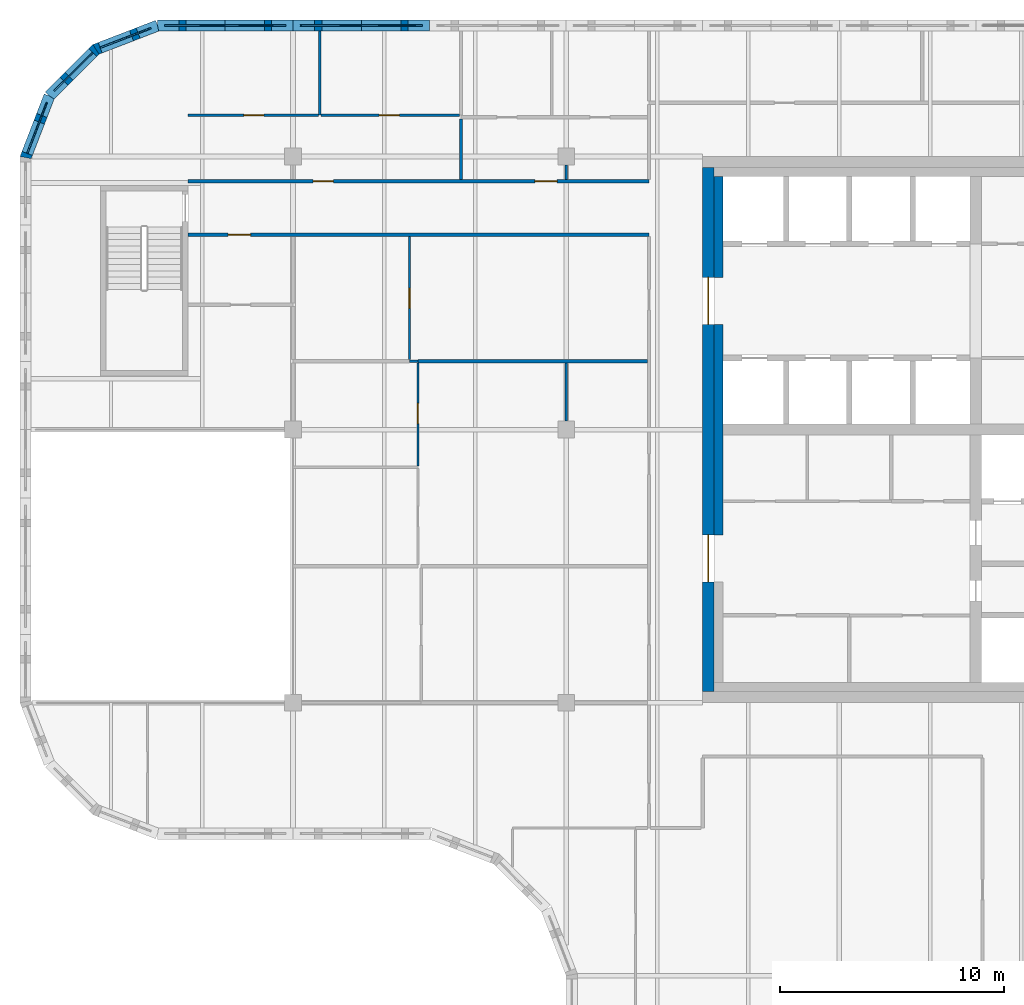
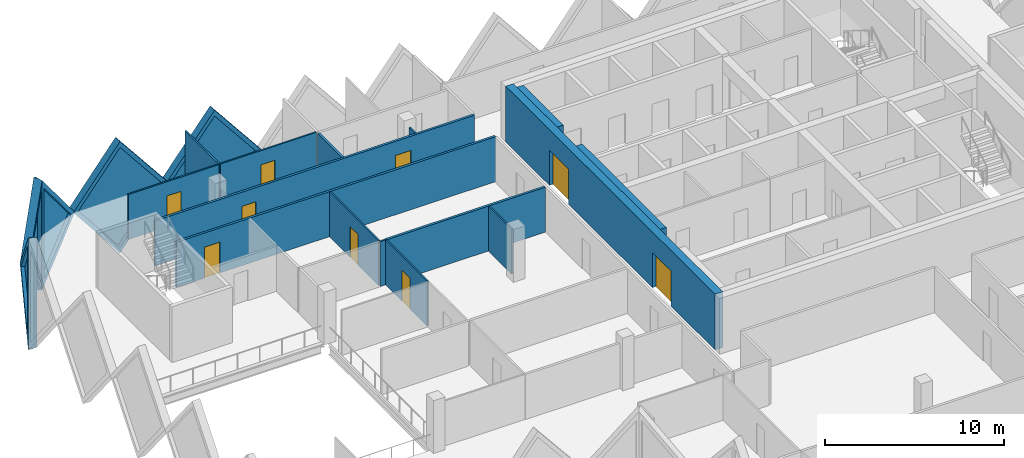
# One storey, part 7 of 11: 20 walls, 9 doors, 5 plates, 14 openings.
"""IFC4 building model written with IfcOpenShell, lengths in metres."""

from ifc_helpers import new_model, si_unit, direction, frame, frame_2d, origin, place, context, subcontext, project, spatial, polyline, rectangle, outline, extrude, faceted_brep, source, transform, mapped, material, layer, layer_set, type_object, element, fill, save


model = new_model("IFC4")

# Units and contexts
model_context = context("Model", 3, precision=1e-05, world=origin(), true_north=direction((0.0, 1.0)))
body_context = subcontext(model_context, "Body", "Model", "MODEL_VIEW")
ifc_project = project(units=[si_unit("LENGTHUNIT", "METRE"), si_unit("AREAUNIT", "SQUARE_METRE"), si_unit("VOLUMEUNIT", "CUBIC_METRE"), si_unit("PLANEANGLEUNIT", "RADIAN"), si_unit("MASSUNIT", "GRAM", prefix="KILO")], contexts=[model_context])

# Site, building, storey
site_placement = place(None, origin())
site = spatial("IfcSite", under=ifc_project, at=site_placement, CompositionType="ELEMENT")
building_placement = place(site_placement, origin())
building = spatial("IfcBuilding", under=site, at=building_placement, Name="Tessera Gate Towers", CompositionType="ELEMENT")
storey_placement = place(building_placement, frame((0.0, 0.0, 224.5)))
storey = spatial("IfcBuildingStorey", under=building, at=storey_placement, Name="L56", CompositionType="ELEMENT", Elevation=224.5)

# Wall, openings, doors
ifc_material_1 = material(Name="Concrete C50/60", Category="concrete")
ifc_layer_1 = layer(ifc_material_1, 0.5)
ifc_layer_set_1 = layer_set([ifc_layer_1], Name="CORE SHEAR WALL 500 C50/60")
wall_type_1 = type_object("IfcWallType", Name="CORE SHEAR WALL 500 C50/60", PredefinedType="SHEAR", material=ifc_layer_set_1)
wall_1_placement = place(storey_placement, frame((30.75, 24.89990234375, 0.0), z_axis=(0.0, 0.0, 1.0), x_axis=(0.0, 1.0, 0.0)))
wall_1 = element("IfcWall", 1, at=wall_1_placement, inside=storey, type_object=wall_type_1, Name="Core wall W L56", PredefinedType="SHEAR", context=body_context, shape_type="SweptSolid", body=[
    extrude(rectangle(XDim=23.400146484375, YDim=0.5, at=frame_2d((11.7001953125, 0.0))), origin(), (0.0, 0.0, 1.0), 3.800048828125),
])
shared_shape_1 = source(origin(), body_context, "Body", "SweptSolid", [
    extrude(rectangle(XDim=2.10009765625, YDim=2.39990234375, at=frame_2d((1.050048828125, 1.199951171875))), frame((0.0, 0.260009765625, 0.0), z_axis=(0.0, -1.0, 0.0), x_axis=(1.0, 0.0, 0.0)), (0.0, 0.0, 1.0), 0.52001953125),
])
opening_1_placement = place(wall_1_placement, frame((4.89990234375, 0.0, 0.0)))
opening_1 = element("IfcOpeningElement", 2, at=opening_1_placement, cuts=wall_1, Name="Opening DD-T1-33-02", PredefinedType="OPENING", context=body_context, shape_type="MappedRepresentation", body=[
    mapped(shared_shape_1, transform((0.0, 0.0, 0.0), scale=1.0)),
])
opening_2_placement = place(wall_1_placement, frame((16.39990234375, 0.0, 0.0)))
opening_2 = element("IfcOpeningElement", 3, at=opening_2_placement, cuts=wall_1, Name="Opening DD-T1-33-03", PredefinedType="OPENING", context=body_context, shape_type="MappedRepresentation", body=[
    mapped(shared_shape_1, transform((0.0, 0.0, 0.0), scale=1.0)),
])
ifc_material_2 = material(Name="Hollow steel fire door", Category="steel")
door_type_1 = type_object("IfcDoorType", Name="CORE DOOR DD 2100x2400", OperationType="NOTDEFINED", PredefinedType="DOOR", material=ifc_material_2)
shared_shape_2 = source(origin(), body_context, "Body", "SweptSolid", [
    extrude(rectangle(XDim=2.10009765625, YDim=2.39990234375, at=frame_2d((1.050048828125, 1.199951171875))), frame((0.0, 0.02490234375, 0.0), z_axis=(0.0, -1.0, 0.0), x_axis=(1.0, 0.0, 0.0)), (0.0, 0.0, 1.0), 0.050048828125),
])
door_1_placement = place(opening_1_placement, origin())
door_1 = element("IfcDoor", 4, at=door_1_placement, inside=storey, type_object=door_type_1, Name="Core entrance door", OperationType="DOUBLE_DOOR_SINGLE_SWING", OverallHeight=2.39990234375, OverallWidth=2.10009765625, PredefinedType="DOOR", context=body_context, shape_type="MappedRepresentation", body=[
    mapped(shared_shape_2, transform((0.0, 0.0, 0.0), scale=1.0)),
])
fill(opening_1, door_1)
door_2_placement = place(opening_2_placement, origin())
door_2 = element("IfcDoor", 5, at=door_2_placement, inside=storey, type_object=door_type_1, Name="Core entrance door", OperationType="DOUBLE_DOOR_SINGLE_SWING", OverallHeight=2.39990234375, OverallWidth=2.10009765625, PredefinedType="DOOR", context=body_context, shape_type="MappedRepresentation", body=[
    mapped(shared_shape_2, transform((0.0, 0.0, 0.0), scale=1.0)),
])
fill(opening_2, door_2)

# Walls
ifc_material_3 = material(Name="Concrete C50/60", Category="concrete")
ifc_layer_2 = layer(ifc_material_3, 0.39990234375)
ifc_layer_set_2 = layer_set([ifc_layer_2], Name="CORE WALL THICKENING 400")
wall_type_2 = type_object("IfcWallType", Name="CORE WALL THICKENING 400", PredefinedType="SOLIDWALL", material=ifc_layer_set_2)
wall_2_placement = place(storey_placement, frame((31.199951171875, 31.89990234375, 0.0), z_axis=(0.0, 0.0, 1.0), x_axis=(0.0, 1.0, 0.0)))
element("IfcWall", 6, at=wall_2_placement, inside=storey, type_object=wall_type_2, Name="Core wall thickening W L56", PredefinedType="SOLIDWALL", context=body_context, shape_type="SweptSolid", body=[
    extrude(rectangle(XDim=9.400146484375, YDim=0.39990234375, at=frame_2d((4.7001953125, 0.0))), origin(), (0.0, 0.0, 1.0), 3.800048828125),
])
wall_3_placement = place(storey_placement, frame((31.199951171875, 43.39990234375, 0.0), z_axis=(0.0, 0.0, 1.0), x_axis=(0.0, 1.0, 0.0)))
element("IfcWall", 7, at=wall_3_placement, inside=storey, type_object=wall_type_2, Name="Core wall thickening W L56", PredefinedType="SOLIDWALL", context=body_context, shape_type="SweptSolid", body=[
    extrude(rectangle(XDim=4.5, YDim=0.39990234375, at=frame_2d((2.25, 0.0))), origin(), (0.0, 0.0, 1.0), 3.800048828125),
])

# Wall, opening, door
ifc_material_4 = material(Name="Gypsum board on steel studs, mineral wool", Category="steel")
ifc_layer_3 = layer(ifc_material_4, 0.14990234375)
ifc_layer_set_3 = layer_set([ifc_layer_3], Name="CORRIDOR WALL 150")
wall_type_3 = type_object("IfcWallType", Name="CORRIDOR WALL 150", PredefinedType="PARTITIONING", material=ifc_layer_set_3)
wall_4_placement = place(storey_placement, frame((28.10009765625, 45.300048828125, 0.0), z_axis=(0.0, 0.0, 1.0), x_axis=(-1.0, 0.0, 0.0)))
wall_4 = element("IfcWall", 8, at=wall_4_placement, inside=storey, type_object=wall_type_3, Name="T1-L56-PW-040", PredefinedType="PARTITIONING", context=body_context, shape_type="SweptSolid", body=[
    extrude(rectangle(XDim=20.60009765625, YDim=0.14990234375, at=frame_2d((10.300048828125, 0.0))), origin(), (0.0, 0.0, 1.0), 3.06689453125),
])
shared_shape_3 = source(origin(), body_context, "Body", "SweptSolid", [
    extrude(rectangle(XDim=1.0, YDim=2.10009765625, at=frame_2d((0.5, 1.050048828125))), frame((0.0, 0.0849609375, 0.0), z_axis=(0.0, -1.0, 0.0), x_axis=(1.0, 0.0, 0.0)), (0.0, 0.0, 1.0), 0.169921875),
])
opening_3_placement = place(wall_4_placement, frame((17.800048828125, 0.0, 0.0)))
opening_3 = element("IfcOpeningElement", 9, at=opening_3_placement, cuts=wall_4, Name="Opening D2100FD60-A20-01", PredefinedType="OPENING", context=body_context, shape_type="MappedRepresentation", body=[
    mapped(shared_shape_3, transform((0.0, 0.0, 0.0), scale=1.0)),
])
ifc_material_5 = material(Name="Timber door leaf in steel frame", Category="steel")
door_type_2 = type_object("IfcDoorType", Name="TENANCY ENTRANCE DOOR 1000 FD60", OperationType="NOTDEFINED", PredefinedType="DOOR", material=ifc_material_5)
shared_shape_4 = source(origin(), body_context, "Body", "SweptSolid", [
    extrude(rectangle(XDim=1.0, YDim=2.10009765625, at=frame_2d((0.5, 1.050048828125))), frame((0.0, 0.02490234375, 0.0), z_axis=(0.0, -1.0, 0.0), x_axis=(1.0, 0.0, 0.0)), (0.0, 0.0, 1.0), 0.050048828125),
])
door_3_placement = place(opening_3_placement, origin())
door_3 = element("IfcDoor", 10, at=door_3_placement, inside=storey, type_object=door_type_2, Name="T1-L56-PD-006", OperationType="SINGLE_SWING_RIGHT", OverallHeight=2.10009765625, OverallWidth=1.0, PredefinedType="DOOR", context=body_context, shape_type="MappedRepresentation", body=[
    mapped(shared_shape_4, transform((0.0, 0.0, 0.0), scale=1.0)),
])
fill(opening_3, door_3)

# Wall, openings, doors
wall_5_placement = place(storey_placement, frame((7.5, 47.699951171875, 0.0), z_axis=(0.0, 0.0, 1.0), x_axis=(1.0, 0.0, 0.0)))
wall_5 = element("IfcWall", 11, at=wall_5_placement, inside=storey, type_object=wall_type_3, Name="T1-L56-PW-041", PredefinedType="PARTITIONING", context=body_context, shape_type="SweptSolid", body=[
    extrude(rectangle(XDim=20.60009765625, YDim=0.14990234375, at=frame_2d((10.300048828125, 0.0))), origin(), (0.0, 0.0, 1.0), 3.06689453125),
])
opening_4_placement = place(wall_5_placement, frame((15.5009765625, 0.0, 0.0)))
opening_4 = element("IfcOpeningElement", 12, at=opening_4_placement, cuts=wall_5, Name="Opening D2100FD60-A20-03", PredefinedType="OPENING", context=body_context, shape_type="MappedRepresentation", body=[
    mapped(shared_shape_3, transform((0.0, 0.0, 0.0), scale=1.0)),
])
shared_shape_5 = source(origin(), body_context, "Body", "SweptSolid", [
    extrude(rectangle(XDim=0.89990234375, YDim=2.10009765625, at=frame_2d((0.449951171875, 1.050048828125))), frame((0.0, 0.0849609375, 0.0), z_axis=(0.0, -1.0, 0.0), x_axis=(1.0, 0.0, 0.0)), (0.0, 0.0, 1.0), 0.169921875),
])
opening_5_placement = place(wall_5_placement, frame((5.60009765625, 0.0, 0.0)))
opening_5 = element("IfcOpeningElement", 13, at=opening_5_placement, cuts=wall_5, Name="Opening D890FD60-A20-10", PredefinedType="OPENING", context=body_context, shape_type="MappedRepresentation", body=[
    mapped(shared_shape_5, transform((0.0, 0.0, 0.0), scale=1.0)),
])
ifc_material_6 = material(Name="Timber door leaf in steel frame", Category="steel")
door_type_3 = type_object("IfcDoorType", Name="CORRIDOR DOOR 900 FD60", OperationType="NOTDEFINED", PredefinedType="DOOR", material=ifc_material_6)
shared_shape_6 = source(origin(), body_context, "Body", "SweptSolid", [
    extrude(rectangle(XDim=0.89990234375, YDim=2.10009765625, at=frame_2d((0.449951171875, 1.050048828125))), frame((0.0, 0.02490234375, 0.0), z_axis=(0.0, -1.0, 0.0), x_axis=(1.0, 0.0, 0.0)), (0.0, 0.0, 1.0), 0.050048828125),
])
door_4_placement = place(opening_5_placement, origin())
door_4 = element("IfcDoor", 14, at=door_4_placement, inside=storey, type_object=door_type_3, Name="T1-L56-PD-025", OperationType="SINGLE_SWING_LEFT", OverallHeight=2.10009765625, OverallWidth=0.89990234375, PredefinedType="DOOR", context=body_context, shape_type="MappedRepresentation", body=[
    mapped(shared_shape_6, transform((0.0, 0.0, 0.0), scale=1.0)),
])
fill(opening_5, door_4)
door_5_placement = place(opening_4_placement, origin())
door_5 = element("IfcDoor", 15, at=door_5_placement, inside=storey, type_object=door_type_2, Name="T1-L56-PD-019", OperationType="SINGLE_SWING_LEFT", OverallHeight=2.10009765625, OverallWidth=1.0, PredefinedType="DOOR", context=body_context, shape_type="MappedRepresentation", body=[
    mapped(shared_shape_4, transform((0.0, 0.0, 0.0), scale=1.0)),
])
fill(opening_4, door_5)

# Wall, opening, door
ifc_material_7 = material(Name="Glass", Category="glass")
ifc_layer_4 = layer(ifc_material_7, 0.10009765625)
ifc_layer_set_4 = layer_set([ifc_layer_4], Name="GLAZED PARTITION 100")
wall_type_4 = type_object("IfcWallType", Name="GLAZED PARTITION 100", PredefinedType="PARTITIONING", material=ifc_layer_set_4)
wall_6_placement = place(storey_placement, frame((17.77490234375, 34.97119140625, 0.0), z_axis=(0.0, 0.0, 1.0), x_axis=(0.0, 1.0, 0.0)))
wall_6 = element("IfcWall", 16, at=wall_6_placement, inside=storey, type_object=wall_type_4, Name="T1-L56-PW-030", PredefinedType="PARTITIONING", context=body_context, shape_type="SweptSolid", body=[
    extrude(rectangle(XDim=4.602783203125, YDim=0.10009765625, at=frame_2d((2.30126953125, 0.0))), origin(), (0.0, 0.0, 1.0), 3.06689453125),
])
shared_shape_7 = source(origin(), body_context, "Body", "SweptSolid", [
    extrude(rectangle(XDim=0.89990234375, YDim=2.10009765625, at=frame_2d((0.449951171875, 1.050048828125))), frame((0.0, 0.06005859375, 0.0), z_axis=(0.0, -1.0, 0.0), x_axis=(1.0, 0.0, 0.0)), (0.0, 0.0, 1.0), 0.1201171875),
])
opening_6_placement = place(wall_6_placement, frame((1.89990234375, 0.0, 0.0)))
opening_6 = element("IfcOpeningElement", 17, at=opening_6_placement, cuts=wall_6, Name="Opening D690-A20-02", PredefinedType="OPENING", context=body_context, shape_type="MappedRepresentation", body=[
    mapped(shared_shape_7, transform((0.0, 0.0, 0.0), scale=1.0)),
])
ifc_material_8 = material(Name="Glass in aluminium frame", Category="aluminium")
door_type_4 = type_object("IfcDoorType", Name="GLAZED DOOR 900 NOT RATED", OperationType="NOTDEFINED", PredefinedType="DOOR", material=ifc_material_8)
door_6_placement = place(opening_6_placement, origin())
door_6 = element("IfcDoor", 18, at=door_6_placement, inside=storey, type_object=door_type_4, Name="T1-L56-PD-005", OperationType="SINGLE_SWING_LEFT", OverallHeight=2.10009765625, OverallWidth=0.89990234375, PredefinedType="DOOR", context=body_context, shape_type="MappedRepresentation", body=[
    mapped(shared_shape_6, transform((0.0, 0.0, 0.0), scale=1.0)),
])
fill(opening_6, door_6)

# Wall
wall_7_placement = place(storey_placement, frame((17.40087890625, 39.64990234375, 0.0), z_axis=(0.0, 0.0, 1.0), x_axis=(1.0, 0.0, 0.0)))
element("IfcWall", 19, at=wall_7_placement, inside=storey, type_object=wall_type_4, Name="T1-L56-PW-034", PredefinedType="PARTITIONING", context=body_context, shape_type="SweptSolid", body=[
    extrude(rectangle(XDim=0.373046875, YDim=0.10009765625, at=frame_2d((0.1865234375, 0.0))), origin(), (0.0, 0.0, 1.0), 3.06689453125),
])

# Wall, opening, door
wall_8_placement = place(storey_placement, frame((17.39990234375, 39.72607421875, 0.0), z_axis=(0.0, 0.0, 1.0), x_axis=(0.0, 1.0, 0.0)))
wall_8 = element("IfcWall", 20, at=wall_8_placement, inside=storey, type_object=wall_type_4, Name="T1-L56-PW-037", PredefinedType="PARTITIONING", context=body_context, shape_type="SweptSolid", body=[
    extrude(rectangle(XDim=5.498046875, YDim=0.10009765625, at=frame_2d((2.7490234375, 0.0))), origin(), (0.0, 0.0, 1.0), 3.06689453125),
])
opening_7_placement = place(wall_8_placement, frame((2.300048828125, 0.0, 0.0)))
opening_7 = element("IfcOpeningElement", 21, at=opening_7_placement, cuts=wall_8, Name="Opening D690-A20-04", PredefinedType="OPENING", context=body_context, shape_type="MappedRepresentation", body=[
    mapped(shared_shape_7, transform((0.0, 0.0, 0.0), scale=1.0)),
])
door_7_placement = place(opening_7_placement, origin())
door_7 = element("IfcDoor", 22, at=door_7_placement, inside=storey, type_object=door_type_4, Name="T1-L56-PD-010", OperationType="SINGLE_SWING_LEFT", OverallHeight=2.10009765625, OverallWidth=0.89990234375, PredefinedType="DOOR", context=body_context, shape_type="MappedRepresentation", body=[
    mapped(shared_shape_6, transform((0.0, 0.0, 0.0), scale=1.0)),
])
fill(opening_7, door_7)

wall_9_placement = place(storey_placement, frame((7.5, 50.64990234375, 0.0), z_axis=(0.0, 0.0, 1.0), x_axis=(1.0, 0.0, 0.0)))
wall_9 = element("IfcWall", 23, at=wall_9_placement, inside=storey, type_object=wall_type_4, Name="T1-L56-PW-048", PredefinedType="PARTITIONING", context=body_context, shape_type="SweptSolid", body=[
    extrude(rectangle(XDim=5.8427734375, YDim=0.10009765625, at=frame_2d((2.92138671875, 0.0))), origin(), (0.0, 0.0, 1.0), 3.06689453125),
])
opening_8_placement = place(wall_9_placement, frame((2.5, 0.0, 0.0)))
opening_8 = element("IfcOpeningElement", 24, at=opening_8_placement, cuts=wall_9, Name="Opening D690-A20-05", PredefinedType="OPENING", context=body_context, shape_type="MappedRepresentation", body=[
    mapped(shared_shape_7, transform((0.0, 0.0, 0.0), scale=1.0)),
])
door_8_placement = place(opening_8_placement, origin())
door_8 = element("IfcDoor", 25, at=door_8_placement, inside=storey, type_object=door_type_4, Name="T1-L56-PD-012", OperationType="SINGLE_SWING_LEFT", OverallHeight=2.10009765625, OverallWidth=0.89990234375, PredefinedType="DOOR", context=body_context, shape_type="MappedRepresentation", body=[
    mapped(shared_shape_6, transform((0.0, 0.0, 0.0), scale=1.0)),
])
fill(opening_8, door_8)

wall_10_placement = place(storey_placement, frame((13.444580078125, 50.64990234375, 0.0), z_axis=(0.0, 0.0, 1.0), x_axis=(1.0, 0.0, 0.0)))
wall_10 = element("IfcWall", 26, at=wall_10_placement, inside=storey, type_object=wall_type_4, Name="T1-L56-PW-050", PredefinedType="PARTITIONING", context=body_context, shape_type="SweptSolid", body=[
    extrude(rectangle(XDim=6.179443359375, YDim=0.10009765625, at=frame_2d((3.08984375, 0.0))), origin(), (0.0, 0.0, 1.0), 3.06689453125),
])
opening_9_placement = place(wall_10_placement, frame((2.60009765625, 0.0, 0.0)))
opening_9 = element("IfcOpeningElement", 27, at=opening_9_placement, cuts=wall_10, Name="Opening D690-A20-07", PredefinedType="OPENING", context=body_context, shape_type="MappedRepresentation", body=[
    mapped(shared_shape_7, transform((0.0, 0.0, 0.0), scale=1.0)),
])
door_9_placement = place(opening_9_placement, origin())
door_9 = element("IfcDoor", 28, at=door_9_placement, inside=storey, type_object=door_type_4, Name="T1-L56-PD-016", OperationType="SINGLE_SWING_LEFT", OverallHeight=2.10009765625, OverallWidth=0.89990234375, PredefinedType="DOOR", context=body_context, shape_type="MappedRepresentation", body=[
    mapped(shared_shape_6, transform((0.0, 0.0, 0.0), scale=1.0)),
])
fill(opening_9, door_9)

# Walls
ifc_material_9 = material(Name="Gypsum board on steel studs", Category="steel")
ifc_layer_5 = layer(ifc_material_9, 0.10009765625)
ifc_layer_set_5 = layer_set([ifc_layer_5], Name="PARTITION 100")
wall_type_5 = type_object("IfcWallType", Name="PARTITION 100", PredefinedType="PARTITIONING", material=ifc_layer_set_5)
wall_11_placement = place(storey_placement, frame((24.39990234375, 36.97509765625, 0.0), z_axis=(0.0, 0.0, 1.0), x_axis=(0.0, 1.0, 0.0)))
element("IfcWall", 29, at=wall_11_placement, inside=storey, type_object=wall_type_5, Name="T1-L56-PW-032", PredefinedType="PARTITIONING", context=body_context, shape_type="SweptSolid", body=[
    extrude(rectangle(XDim=2.599853515625, YDim=0.10009765625, at=frame_2d((1.2998046875, 0.0))), origin(), (0.0, 0.0, 1.0), 3.06689453125),
])
wall_12_placement = place(storey_placement, frame((24.39990234375, 48.425048828125, 0.0), z_axis=(0.0, 0.0, 1.0), x_axis=(0.0, -1.0, 0.0)))
element("IfcWall", 30, at=wall_12_placement, inside=storey, type_object=wall_type_5, Name="T1-L56-PW-045", PredefinedType="PARTITIONING", context=body_context, shape_type="SweptSolid", body=[
    extrude(rectangle(XDim=0.650146484375, YDim=0.10009765625, at=frame_2d((0.3251953125, 0.0))), origin(), (0.0, 0.0, 1.0), 3.06689453125),
])
wall_13_placement = place(storey_placement, frame((13.39404296875, 50.64990234375, 0.0), z_axis=(0.0, 0.0, 1.0), x_axis=(0.0, 1.0, 0.0)))
element("IfcWall", 31, at=wall_13_placement, inside=storey, type_object=wall_type_5, Name="T1-L56-PW-049", PredefinedType="PARTITIONING", context=body_context, shape_type="SweptSolid", body=[
    extrude(rectangle(XDim=3.75, YDim=0.10009765625, at=frame_2d((1.875, 0.0))), origin(), (0.0, 0.0, 1.0), 3.06689453125),
])
ifc_material_10 = material(Name="Gypsum board on steel studs, mineral wool", Category="steel")
ifc_layer_6 = layer(ifc_material_10, 0.14990234375)
ifc_layer_set_6 = layer_set([ifc_layer_6], Name="TENANCY WALL 150")
wall_type_6 = type_object("IfcWallType", Name="TENANCY WALL 150", PredefinedType="PARTITIONING", material=ifc_layer_set_6)
wall_14_placement = place(storey_placement, frame((17.77490234375, 39.64990234375, 0.0), z_axis=(0.0, 0.0, 1.0), x_axis=(1.0, 0.0, 0.0)))
element("IfcWall", 32, at=wall_14_placement, inside=storey, type_object=wall_type_6, Name="T1-L56-PW-035", PredefinedType="PARTITIONING", context=body_context, shape_type="SweptSolid", body=[
    extrude(rectangle(XDim=10.2490234375, YDim=0.14990234375, at=frame_2d((5.12451171875, 0.0))), origin(), (0.0, 0.0, 1.0), 3.06689453125),
])
wall_15_placement = place(storey_placement, frame((19.699951171875, 47.77587890625, 0.0), z_axis=(0.0, 0.0, 1.0), x_axis=(0.0, 1.0, 0.0)))
element("IfcWall", 33, at=wall_15_placement, inside=storey, type_object=wall_type_6, Name="T1-L56-PW-042", PredefinedType="PARTITIONING", context=body_context, shape_type="SweptSolid", body=[
    extrude(rectangle(XDim=2.6982421875, YDim=0.14990234375, at=frame_2d((1.34912109375, 0.0))), origin(), (0.0, 0.0, 1.0), 3.06689453125),
])

# Wall, opening, plate
ifc_material_11 = material(Name="Precast concrete C60/75 white", Category="concrete")
ifc_layer_7 = layer(ifc_material_11, 0.5)
ifc_layer_set_7 = layer_set([ifc_layer_7], Name="TS1 tessera")
wall_type_7 = type_object("IfcWallType", Name="TS1 tessera", PredefinedType="SOLIDWALL", material=ifc_layer_set_7)
shared_shape_8 = source(origin(), body_context, "Body", "SweptSolid", [
    extrude(outline(polyline([(3.050048828125, 0.0), (6.10009765625, 3.800048828125), (3.050048828125, 7.60009765625), (0.0, 3.800048828125), (3.050048828125, 0.0)])), frame((0.0, 0.25, 0.0), z_axis=(0.0, -1.0, 0.0), x_axis=(1.0, 0.0, 0.0)), (0.0, 0.0, 1.0), 0.5),
])
wall_16_placement = place(storey_placement, frame((18.300048828125, 54.64990234375, -3.800048828125), z_axis=(0.0, 0.0, 1.0), x_axis=(-1.0, 0.0, 0.0)))
wall_16 = element("IfcWall", 34, at=wall_16_placement, inside=storey, type_object=wall_type_7, Name="Precast tessera T1 TS1-1005", PredefinedType="SOLIDWALL", context=body_context, shape_type="MappedRepresentation", body=[
    mapped(shared_shape_8, transform((0.0, 0.0, 0.0), scale=1.0)),
])
shared_shape_9 = source(origin(), body_context, "Body", "SweptSolid", [
    extrude(outline(polyline([(3.050048828125, 0.3994140625), (5.779541015625, 3.800048828125), (3.050048828125, 7.20068359375), (0.320556640625, 3.800048828125), (3.050048828125, 0.3994140625)])), frame((0.0, 0.260009765625, 0.0), z_axis=(0.0, -1.0, 0.0), x_axis=(1.0, 0.0, 0.0)), (0.0, 0.0, 1.0), 0.52001953125),
])
opening_10_placement = place(wall_16_placement, origin())
opening_10 = element("IfcOpeningElement", 35, at=opening_10_placement, cuts=wall_16, Name="Opening T1-PL2-2045", PredefinedType="OPENING", context=body_context, shape_type="MappedRepresentation", body=[
    mapped(shared_shape_9, transform((0.0, 0.0, 0.0), scale=1.0)),
])
ifc_material_12 = material(Name="Low-e laminated glass", Category="glass")
ifc_layer_8 = layer(ifc_material_12, 0.06005859375)
ifc_layer_set_8 = layer_set([ifc_layer_8], Name="PL2 rhombic pane")
plate_type = type_object("IfcPlateType", Name="PL2 rhombic pane", PredefinedType="SHEET", material=ifc_layer_set_8)
shared_shape_10 = source(origin(), body_context, "Body", "SweptSolid", [
    extrude(outline(polyline([(3.050048828125, 0.3994140625), (5.779541015625, 3.800048828125), (3.050048828125, 7.20068359375), (0.320556640625, 3.800048828125), (3.050048828125, 0.3994140625)])), frame((0.0, 0.030029296875, 0.0), z_axis=(0.0, -1.0, 0.0), x_axis=(1.0, 0.0, 0.0)), (0.0, 0.0, 1.0), 0.06005859375),
])
plate_1_placement = place(opening_10_placement, origin())
plate_1 = element("IfcPlate", 36, at=plate_1_placement, inside=storey, type_object=plate_type, Name="Glass pane T1 PL2-2045", PredefinedType="SHEET", context=body_context, shape_type="MappedRepresentation", body=[
    mapped(shared_shape_10, transform((0.0, 0.0, 0.0), scale=1.0)),
])
fill(opening_10, plate_1)

shared_shape_11 = source(origin(), body_context, "Body", "Brep", [
    faceted_brep([(3.050048828125, -0.25, 0.0), (6.053466796875, -0.25, 3.800048828125), (3.050048828125, -0.25, 7.60009765625), (0.0, -0.25, 3.800048828125), (0.0, 0.25, 3.800048828125), (3.050048828125, 0.25, 7.60009765625), (6.0068359375, 0.25, 3.85888671875), (6.0068359375, 0.25, 3.7412109375), (3.050048828125, 0.25, 0.0), (6.053466796875, 0.0, 3.800048828125)], [[[0, 1, 2, 3]], [[4, 5, 6, 7, 8]], [[8, 7, 9, 1, 0]], [[6, 5, 2, 1, 9]], [[5, 4, 3, 2]], [[4, 8, 0, 3]], [[9, 7, 6]]]),
])
wall_17_placement = place(storey_placement, frame((12.199951171875, 54.64990234375, -3.800048828125), z_axis=(0.0, 0.0, 1.0), x_axis=(-1.0, 0.0, 0.0)))
wall_17 = element("IfcWall", 37, at=wall_17_placement, inside=storey, type_object=wall_type_7, Name="Precast tessera T1 TS1-1006", PredefinedType="SOLIDWALL", context=body_context, shape_type="MappedRepresentation", body=[
    mapped(shared_shape_11, transform((0.0, 0.0, 0.0), scale=1.0)),
])
shared_shape_12 = source(origin(), body_context, "Body", "SweptSolid", [
    extrude(outline(polyline([(3.048583984375, 0.4013671875), (5.73486328125, 3.800048828125), (3.048583984375, 7.19873046875), (0.320556640625, 3.800048828125), (3.048583984375, 0.4013671875)])), frame((0.0, 0.260009765625, 0.0), z_axis=(0.0, -1.0, 0.0), x_axis=(1.0, 0.0, 0.0)), (0.0, 0.0, 1.0), 0.52001953125),
])
opening_11_placement = place(wall_17_placement, origin())
opening_11 = element("IfcOpeningElement", 38, at=opening_11_placement, cuts=wall_17, Name="Opening T1-PL2-2046", PredefinedType="OPENING", context=body_context, shape_type="MappedRepresentation", body=[
    mapped(shared_shape_12, transform((0.0, 0.0, 0.0), scale=1.0)),
])
shared_shape_13 = source(origin(), body_context, "Body", "SweptSolid", [
    extrude(outline(polyline([(3.048583984375, 0.4013671875), (5.73486328125, 3.800048828125), (3.048583984375, 7.19873046875), (0.320556640625, 3.800048828125), (3.048583984375, 0.4013671875)])), frame((0.0, 0.030029296875, 0.0), z_axis=(0.0, -1.0, 0.0), x_axis=(1.0, 0.0, 0.0)), (0.0, 0.0, 1.0), 0.06005859375),
])
plate_2_placement = place(opening_11_placement, origin())
plate_2 = element("IfcPlate", 39, at=plate_2_placement, inside=storey, type_object=plate_type, Name="Glass pane T1 PL2-2046", PredefinedType="SHEET", context=body_context, shape_type="MappedRepresentation", body=[
    mapped(shared_shape_13, transform((0.0, 0.0, 0.0), scale=1.0)),
])
fill(opening_11, plate_2)

ifc_material_13 = material(Name="Precast concrete C60/75 white", Category="concrete")
ifc_layer_9 = layer(ifc_material_13, 0.5)
ifc_layer_set_9 = layer_set([ifc_layer_9], Name="TS3 corner tessera")
wall_type_8 = type_object("IfcWallType", Name="TS3 corner tessera", PredefinedType="SOLIDWALL", material=ifc_layer_set_9)
shared_shape_14 = source(origin(), body_context, "Body", "Brep", [
    faceted_brep([(2.950439453125, -0.25, 0.0), (3.00341796875, -0.25, 0.068359375), (3.00341796875, -0.25, 7.53173828125), (2.950439453125, -0.25, 7.60009765625), (0.0, -0.25, 3.800048828125), (0.046630859375, 0.25, 3.860107421875), (2.897705078125, 0.25, 7.531982421875), (2.897705078125, 0.25, 0.068115234375), (0.046630859375, 0.25, 3.739990234375), (2.950439453125, 0.00048828125, 0.0), (2.950439453125, 0.00048828125, 7.60009765625), (0.0, 0.0, 3.800048828125)], [[[0, 1, 2, 3, 4]], [[5, 6, 7, 8]], [[1, 0, 9]], [[10, 3, 2]], [[6, 5, 11, 4, 3, 10]], [[8, 7, 9, 0, 4, 11]], [[8, 11, 5]], [[1, 9, 7, 6, 10, 2]]]),
])
wall_18_placement = place(storey_placement, frame((6.146484375, 54.64990234375, -3.800048828125), z_axis=(0.0, 0.0, 1.0), x_axis=(-0.932997369089, -0.359883188373, 0.0)))
wall_18 = element("IfcWall", 40, at=wall_18_placement, inside=storey, type_object=wall_type_8, Name="Precast corner tessera T1 TS3-1305", PredefinedType="SOLIDWALL", context=body_context, shape_type="MappedRepresentation", body=[
    mapped(shared_shape_14, transform((0.0, 0.0, 0.0), scale=1.0)),
])
shared_shape_15 = source(origin(), body_context, "Body", "SweptSolid", [
    extrude(outline(polyline([(2.75048828125, 6.934814453125), (0.31640625, 3.800048828125), (2.75048828125, 0.665283203125), (2.75048828125, 6.934814453125)])), frame((0.0, 0.260009765625, 0.0), z_axis=(0.0, -1.0, 0.0), x_axis=(1.0, 0.0, 0.0)), (0.0, 0.0, 1.0), 0.52001953125),
])
opening_12_placement = place(wall_18_placement, origin())
opening_12 = element("IfcOpeningElement", 41, at=opening_12_placement, cuts=wall_18, Name="Opening T1-PL2-2047", PredefinedType="OPENING", context=body_context, shape_type="MappedRepresentation", body=[
    mapped(shared_shape_15, transform((0.0, 0.0, 0.0), scale=1.0)),
])
shared_shape_16 = source(origin(), body_context, "Body", "SweptSolid", [
    extrude(outline(polyline([(2.75048828125, 6.934814453125), (0.31640625, 3.800048828125), (2.75048828125, 0.665283203125), (2.75048828125, 6.934814453125)])), frame((0.0, 0.030029296875, 0.0), z_axis=(0.0, -1.0, 0.0), x_axis=(1.0, 0.0, 0.0)), (0.0, 0.0, 1.0), 0.06005859375),
])
plate_3_placement = place(opening_12_placement, origin())
plate_3 = element("IfcPlate", 42, at=plate_3_placement, inside=storey, type_object=plate_type, Name="Glass pane T1 PL2-2047", PredefinedType="SHEET", context=body_context, shape_type="MappedRepresentation", body=[
    mapped(shared_shape_16, transform((0.0, 0.0, 0.0), scale=1.0)),
])
fill(opening_12, plate_3)

shared_shape_17 = source(origin(), body_context, "Body", "Brep", [
    faceted_brep([(0.052978515625, -0.25, 0.0), (2.9970703125, -0.25, 3.800048828125), (0.052978515625, -0.25, 7.60009765625), (0.0, -0.25, 7.531982421875), (0.0, -0.25, 0.068115234375), (0.10595703125, 0.25, 7.53173828125), (2.944091796875, 0.25, 3.8681640625), (2.944091796875, 0.25, 3.73193359375), (0.10595703125, 0.25, 0.068359375), (2.9970703125, 0.000244140625, 3.800048828125), (0.052978515625, 0.0, 0.0), (0.052978515625, 0.0, 7.60009765625)], [[[0, 1, 2, 3, 4]], [[5, 6, 7, 8]], [[8, 7, 9, 1, 0, 10]], [[6, 5, 11, 2, 1, 9]], [[3, 2, 11]], [[10, 0, 4]], [[8, 10, 4, 3, 11, 5]], [[9, 7, 6]]]),
])
wall_19_placement = place(storey_placement, frame((3.43115234375, 53.62548828125, -3.800048828125), z_axis=(0.0, 0.0, 1.0), x_axis=(-0.707106781187, -0.707106781187, 0.0)))
wall_19 = element("IfcWall", 43, at=wall_19_placement, inside=storey, type_object=wall_type_8, Name="Precast corner tessera T1 TS3-1306", PredefinedType="SOLIDWALL", context=body_context, shape_type="MappedRepresentation", body=[
    mapped(shared_shape_17, transform((0.0, 0.0, 0.0), scale=1.0)),
])
shared_shape_18 = source(origin(), body_context, "Body", "SweptSolid", [
    extrude(outline(polyline([(0.2529296875, 0.666259765625), (2.680908203125, 3.800048828125), (0.2529296875, 6.933837890625), (0.2529296875, 0.666259765625)])), frame((0.0, 0.260009765625, 0.0), z_axis=(0.0, -1.0, 0.0), x_axis=(1.0, 0.0, 0.0)), (0.0, 0.0, 1.0), 0.52001953125),
])
opening_13_placement = place(wall_19_placement, origin())
opening_13 = element("IfcOpeningElement", 44, at=opening_13_placement, cuts=wall_19, Name="Opening T1-PL2-2048", PredefinedType="OPENING", context=body_context, shape_type="MappedRepresentation", body=[
    mapped(shared_shape_18, transform((0.0, 0.0, 0.0), scale=1.0)),
])
shared_shape_19 = source(origin(), body_context, "Body", "SweptSolid", [
    extrude(outline(polyline([(0.2529296875, 0.666259765625), (2.680908203125, 3.800048828125), (0.2529296875, 6.933837890625), (0.2529296875, 0.666259765625)])), frame((0.0, 0.030029296875, 0.0), z_axis=(0.0, -1.0, 0.0), x_axis=(1.0, 0.0, 0.0)), (0.0, 0.0, 1.0), 0.06005859375),
])
plate_4_placement = place(opening_13_placement, origin())
plate_4 = element("IfcPlate", 45, at=plate_4_placement, inside=storey, type_object=plate_type, Name="Glass pane T1 PL2-2048", PredefinedType="SHEET", context=body_context, shape_type="MappedRepresentation", body=[
    mapped(shared_shape_19, transform((0.0, 0.0, 0.0), scale=1.0)),
])
fill(opening_13, plate_4)

shared_shape_20 = source(origin(), body_context, "Body", "Brep", [
    faceted_brep([(2.950439453125, -0.25, 0.0), (2.9970703125, -0.25, 0.05908203125), (2.9970703125, -0.25, 7.541015625), (2.950439453125, -0.25, 7.60009765625), (0.0, -0.25, 3.800048828125), (0.052978515625, 0.25, 3.8681640625), (2.904052734375, 0.25, 7.540283203125), (2.904052734375, 0.25, 0.059814453125), (0.052978515625, 0.25, 3.73193359375), (2.950439453125, 0.00048828125, 0.0), (2.950439453125, 0.00048828125, 7.60009765625), (0.0, 0.0, 3.800048828125)], [[[0, 1, 2, 3, 4]], [[5, 6, 7, 8]], [[1, 0, 9]], [[10, 3, 2]], [[6, 5, 11, 4, 3, 10]], [[8, 7, 9, 0, 4, 11]], [[8, 11, 5]], [[1, 9, 7, 6, 10, 2]]]),
])
wall_20_placement = place(storey_placement, frame((1.31201171875, 51.50634765625, -3.800048828125), z_axis=(0.0, 0.0, 1.0), x_axis=(-0.359944998003, -0.932973525033, 0.0)))
wall_20 = element("IfcWall", 46, at=wall_20_placement, inside=storey, type_object=wall_type_8, Name="Precast corner tessera T1 TS3-1307", PredefinedType="SOLIDWALL", context=body_context, shape_type="MappedRepresentation", body=[
    mapped(shared_shape_20, transform((0.0, 0.0, 0.0), scale=1.0)),
])
opening_14_placement = place(wall_20_placement, origin())
opening_14 = element("IfcOpeningElement", 47, at=opening_14_placement, cuts=wall_20, Name="Opening T1-PL2-2049", PredefinedType="OPENING", context=body_context, shape_type="MappedRepresentation", body=[
    mapped(shared_shape_15, transform((0.0, 0.0, 0.0), scale=1.0)),
])
plate_5_placement = place(opening_14_placement, origin())
plate_5 = element("IfcPlate", 48, at=plate_5_placement, inside=storey, type_object=plate_type, Name="Glass pane T1 PL2-2049", PredefinedType="SHEET", context=body_context, shape_type="MappedRepresentation", body=[
    mapped(shared_shape_16, transform((0.0, 0.0, 0.0), scale=1.0)),
])
fill(opening_14, plate_5)

save(model, "model.ifc")
